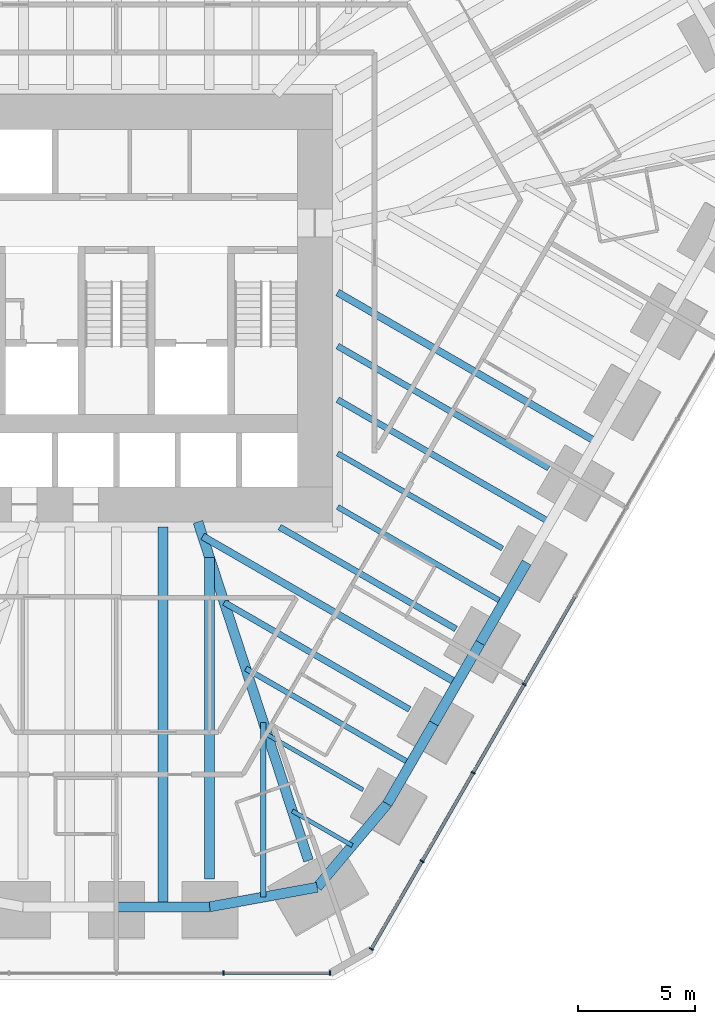
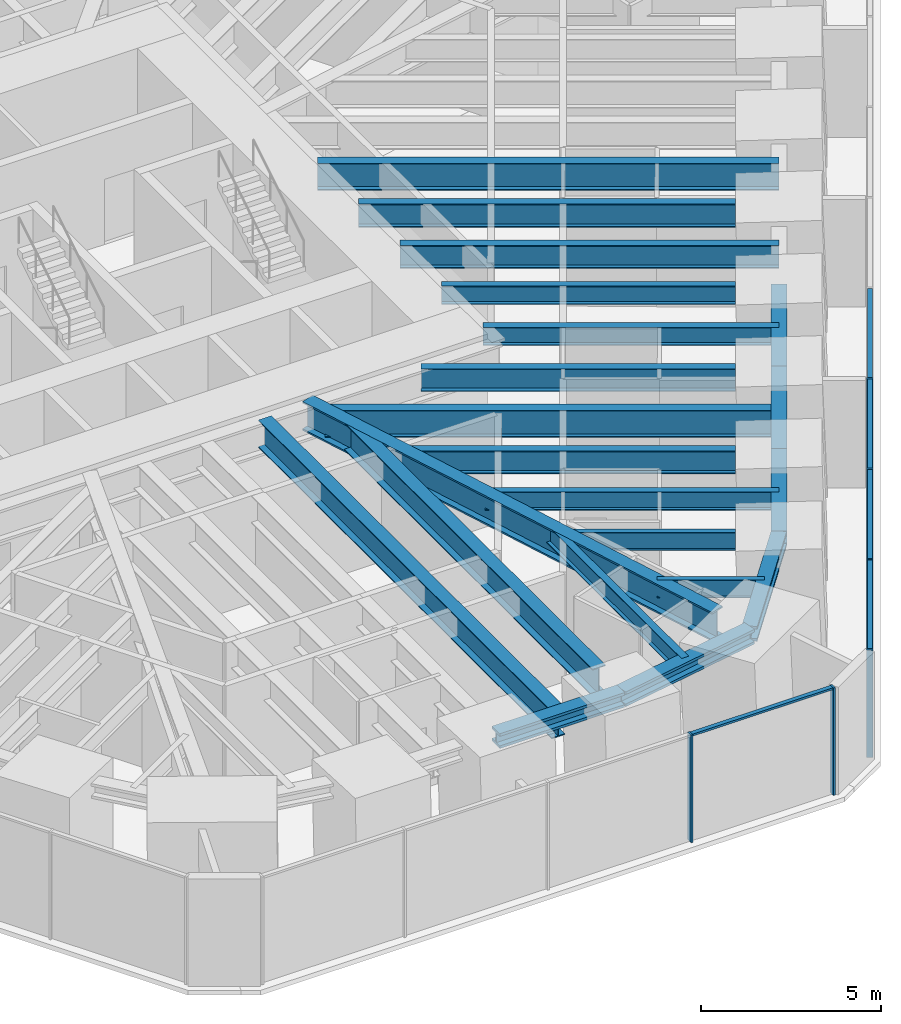
# One storey, part 5 of 17: 21 beams, 11 members, 2 elements without a shape of their own.
"""IFC4 building model written with IfcOpenShell, lengths in metres."""

from ifc_helpers import new_model, si_unit, direction, frame, origin, origin_2d, place, context, subcontext, project, spatial, rectangle, i_section, extrude, material, material_profile, profile_set, type_object, element, aggregate, save


model = new_model("IFC4")

# Units and contexts
model_context = context("Model", 3, precision=1e-05, world=origin(), true_north=direction((0.0, 1.0)))
body_context = subcontext(model_context, "Body", "Model", "MODEL_VIEW")
ifc_project = project(units=[si_unit("LENGTHUNIT", "METRE"), si_unit("AREAUNIT", "SQUARE_METRE"), si_unit("VOLUMEUNIT", "CUBIC_METRE"), si_unit("PLANEANGLEUNIT", "RADIAN"), si_unit("MASSUNIT", "GRAM", prefix="KILO")], contexts=[model_context])

# Site, building, storey
site_placement = place(None, origin())
site = spatial("IfcSite", under=ifc_project, at=site_placement, CompositionType="ELEMENT")
building_placement = place(site_placement, origin())
building = spatial("IfcBuilding", under=site, at=building_placement, Name="Sandreach Pilgrim Tower", CompositionType="ELEMENT")
storey_placement = place(building_placement, frame((0.0, 0.0, 87.60009765625)))
storey = spatial("IfcBuildingStorey", under=building, at=storey_placement, Name="L21", CompositionType="ELEMENT", Elevation=87.60009765625)

# Beams
ifc_material_1 = material(Name="Steel ASTM A913 Grade 65", Category="steel")
ifc_material_profile_1 = material_profile(ifc_material_1, i_section(OverallWidth=0.431884765625, OverallDepth=0.497802734375, WebThickness=0.0556640625, FlangeThickness=0.0888671875, at=origin_2d()), Name="W14X500")
ifc_profile_set_1 = profile_set([ifc_material_profile_1], Name="Steel ASTM A913 Grade 65")
beam_type_1 = type_object("IfcBeamType", Name="Belt truss chord W14X500", PredefinedType="BEAM", material=ifc_profile_set_1)
beam_1_placement = place(storey_placement, frame((17.566650390625, -12.43798828125, 3.390869140625), z_axis=(-0.500014721933, -0.866016903906, 0.0), x_axis=(0.866016903906, -0.500014721933, 0.0)))
element("IfcBeam", 1, at=beam_1_placement, inside=storey, type_object=beam_type_1, Name="BM L21 BTB18", PredefinedType="BEAM", context=body_context, shape_type="SweptSolid", body=[
    extrude(i_section(OverallWidth=0.431884765625, OverallDepth=0.497802734375, WebThickness=0.0556640625, FlangeThickness=0.0888671875, at=origin_2d()), origin(), (0.0, 0.0, 1.0), 3.97705078125),
])
beam_2_placement = place(storey_placement, frame((15.578125, -15.882080078125, 3.390869140625), z_axis=(-0.499968678846, -0.866043486306, 0.0), x_axis=(0.866043486306, -0.499968678846, 0.0)))
element("IfcBeam", 2, at=beam_2_placement, inside=storey, type_object=beam_type_1, Name="BM L21 BTB19", PredefinedType="BEAM", context=body_context, shape_type="SweptSolid", body=[
    extrude(i_section(OverallWidth=0.431884765625, OverallDepth=0.497802734375, WebThickness=0.0556640625, FlangeThickness=0.0888671875, at=origin_2d()), origin(), (0.0, 0.0, 1.0), 3.976806640625),
])
beam_3_placement = place(storey_placement, frame((13.58984375, -19.326171875, 3.390869140625), z_axis=(-0.499995262016, -0.866028139243, 0.0), x_axis=(0.866028139243, -0.499995262016, 0.0)))
element("IfcBeam", 3, at=beam_3_placement, inside=storey, type_object=beam_type_1, Name="BM L21 BTB20", PredefinedType="BEAM", context=body_context, shape_type="SweptSolid", body=[
    extrude(i_section(OverallWidth=0.431884765625, OverallDepth=0.497802734375, WebThickness=0.0556640625, FlangeThickness=0.0888671875, at=origin_2d()), origin(), (0.0, 0.0, 1.0), 3.9765625),
])
beam_4_placement = place(storey_placement, frame((11.6015625, -22.77001953125, 3.390869140625), z_axis=(-0.64376503388, -0.765223223088, 0.0), x_axis=(0.765223223088, -0.64376503388, 0.0)))
element("IfcBeam", 4, at=beam_4_placement, inside=storey, type_object=beam_type_1, Name="BM L21 BTB21", PredefinedType="BEAM", context=body_context, shape_type="SweptSolid", body=[
    extrude(i_section(OverallWidth=0.431884765625, OverallDepth=0.497802734375, WebThickness=0.0556640625, FlangeThickness=0.0888671875, at=origin_2d()), origin(), (0.0, 0.0, 1.0), 4.665283203125),
])
beam_5_placement = place(storey_placement, frame((8.59814453125, -26.340087890625, 3.390869140625), z_axis=(-0.983773831368, -0.179413067296, 0.0), x_axis=(0.179413067296, -0.983773831368, 0.0)))
element("IfcBeam", 5, at=beam_5_placement, inside=storey, type_object=beam_type_1, Name="BM L21 BTB22", PredefinedType="BEAM", context=body_context, shape_type="SweptSolid", body=[
    extrude(i_section(OverallWidth=0.431884765625, OverallDepth=0.497802734375, WebThickness=0.0556640625, FlangeThickness=0.0888671875, at=origin_2d()), origin(), (0.0, 0.0, 1.0), 4.682373046875),
])
beam_6_placement = place(storey_placement, frame((3.99169921875, -27.18017578125, 3.390869140625), z_axis=(-1.0, 0.0, 0.0), x_axis=(0.0, -1.0, 0.0)))
element("IfcBeam", 6, at=beam_6_placement, inside=storey, type_object=beam_type_1, Name="BM L21 BTB23", PredefinedType="BEAM", context=body_context, shape_type="SweptSolid", body=[
    extrude(i_section(OverallWidth=0.431884765625, OverallDepth=0.497802734375, WebThickness=0.0556640625, FlangeThickness=0.0888671875, at=origin_2d()), origin(), (0.0, 0.0, 1.0), 3.99169921875),
])

# Curtain wall, members
ifc_material_2 = material(Name="Aluminium framed curtain wall", Category="aluminium")
curtain_wall_type = type_object("IfcCurtainWallType", Name="Hostel tower curtain wall", PredefinedType="NOTDEFINED", material=ifc_material_2)
curtain_wall_1_placement = place(storey_placement, origin())
curtain_wall_1 = element("IfcCurtainWall", 7, at=curtain_wall_1_placement, inside=storey, type_object=curtain_wall_type, Name="CW-1 L21 SE", PredefinedType="NOTDEFINED")
ifc_material_3 = material(Name="Aluminium extrusion", Category="aluminium")
ifc_material_profile_2 = material_profile(ifc_material_3, rectangle(XDim=0.06494140625, YDim=0.179931640625, at=origin_2d()), Name="CW-1M 65X180")
ifc_profile_set_2 = profile_set([ifc_material_profile_2], Name="Aluminium extrusion")
member_type_1 = type_object("IfcMemberType", Name="CW-1 mullion", PredefinedType="MULLION", material=ifc_profile_set_2)
member_1_placement = place(storey_placement, frame((17.46142578125, -17.6533203125, 0.0), z_axis=(0.0, 0.0, 1.0), x_axis=(-0.5, -0.866025403784, 0.0)))
member_1 = element("IfcMember", 8, at=member_1_placement, type_object=member_type_1, Name="CW-1 mullion 7", PredefinedType="MULLION", context=body_context, shape_type="SweptSolid", body=[
    extrude(rectangle(XDim=0.06494140625, YDim=0.179931640625, at=origin_2d()), origin(), (0.0, 0.0, 1.0), 3.639892578125),
])
member_2_placement = place(storey_placement, frame((15.275634765625, -21.439208984375, 0.0), z_axis=(0.0, 0.0, 1.0), x_axis=(-0.5, -0.866025403784, 0.0)))
member_2 = element("IfcMember", 9, at=member_2_placement, type_object=member_type_1, Name="CW-1 mullion 8", PredefinedType="MULLION", context=body_context, shape_type="SweptSolid", body=[
    extrude(rectangle(XDim=0.06494140625, YDim=0.179931640625, at=origin_2d()), origin(), (0.0, 0.0, 1.0), 3.639892578125),
])
member_3_placement = place(storey_placement, frame((13.08984375, -25.22509765625, 0.0), z_axis=(0.0, 0.0, 1.0), x_axis=(-0.5, -0.866025403784, 0.0)))
member_3 = element("IfcMember", 10, at=member_3_placement, type_object=member_type_1, Name="CW-1 mullion 9", PredefinedType="MULLION", context=body_context, shape_type="SweptSolid", body=[
    extrude(rectangle(XDim=0.06494140625, YDim=0.179931640625, at=origin_2d()), origin(), (0.0, 0.0, 1.0), 3.639892578125),
])
member_4_placement = place(storey_placement, frame((10.92041015625, -28.982666015625, 0.0), z_axis=(0.0, 0.0, 1.0), x_axis=(-0.5, -0.866025403784, 0.0)))
member_4 = element("IfcMember", 11, at=member_4_placement, type_object=member_type_1, Name="CW-1 mullion 10", PredefinedType="MULLION", context=body_context, shape_type="SweptSolid", body=[
    extrude(rectangle(XDim=0.06494140625, YDim=0.179931640625, at=origin_2d()), origin(), (0.0, 0.0, 1.0), 3.639892578125),
])

curtain_wall_2_placement = place(storey_placement, origin())
curtain_wall_2 = element("IfcCurtainWall", 12, at=curtain_wall_2_placement, inside=storey, type_object=curtain_wall_type, Name="CW-1 L21 S", PredefinedType="NOTDEFINED")
member_5_placement = place(storey_placement, frame((9.1396484375, -30.010986328125, 0.0), z_axis=(0.0, 0.0, 1.0), x_axis=(-1.0, 0.0, 0.0)))
member_5 = element("IfcMember", 13, at=member_5_placement, type_object=member_type_1, Name="CW-1 mullion 1", PredefinedType="MULLION", context=body_context, shape_type="SweptSolid", body=[
    extrude(rectangle(XDim=0.06494140625, YDim=0.179931640625, at=origin_2d()), origin(), (0.0, 0.0, 1.0), 3.639892578125),
])
member_6_placement = place(storey_placement, frame((4.5859375, -30.010986328125, 0.0), z_axis=(0.0, 0.0, 1.0), x_axis=(-1.0, 0.0, 0.0)))
member_6 = element("IfcMember", 14, at=member_6_placement, type_object=member_type_1, Name="CW-1 mullion 2", PredefinedType="MULLION", context=body_context, shape_type="SweptSolid", body=[
    extrude(rectangle(XDim=0.06494140625, YDim=0.179931640625, at=origin_2d()), origin(), (0.0, 0.0, 1.0), 3.639892578125),
])

# Member
ifc_material_4 = material(Name="Aluminium extrusion", Category="aluminium")
ifc_material_profile_3 = material_profile(ifc_material_4, rectangle(XDim=0.139892578125, YDim=0.070068359375, at=origin_2d()), Name="CW-1T 140X70")
ifc_profile_set_3 = profile_set([ifc_material_profile_3], Name="Aluminium extrusion")
member_type_2 = type_object("IfcMemberType", Name="CW-1 transom", PredefinedType="USERDEFINED", material=ifc_profile_set_3)
member_7_placement = place(storey_placement, frame((19.631103515625, -13.8955078125, 3.60498046875), z_axis=(-0.500016891966, -0.866015650984, 0.0), x_axis=(0.866015650984, -0.500016891966, 0.0)))
member_7 = element("IfcMember", 15, at=member_7_placement, type_object=member_type_2, Name="CW-1 head transom 6", ObjectType="TRANSOM", PredefinedType="USERDEFINED", context=body_context, shape_type="SweptSolid", body=[
    extrude(rectangle(XDim=0.139892578125, YDim=0.070068359375, at=origin_2d()), origin(), (0.0, 0.0, 1.0), 4.306396484375),
])

member_8_placement = place(storey_placement, frame((17.4453125, -17.681396484375, 3.60498046875), z_axis=(-0.500016891966, -0.866015650984, 0.0), x_axis=(0.866015650984, -0.500016891966, 0.0)))
member_8 = element("IfcMember", 16, at=member_8_placement, type_object=member_type_2, Name="CW-1 head transom 7", ObjectType="TRANSOM", PredefinedType="USERDEFINED", context=body_context, shape_type="SweptSolid", body=[
    extrude(rectangle(XDim=0.139892578125, YDim=0.070068359375, at=origin_2d()), origin(), (0.0, 0.0, 1.0), 4.306396484375),
])

member_9_placement = place(storey_placement, frame((15.259521484375, -21.46728515625, 3.60498046875), z_axis=(-0.500016891966, -0.866015650984, 0.0), x_axis=(0.866015650984, -0.500016891966, 0.0)))
member_9 = element("IfcMember", 17, at=member_9_placement, type_object=member_type_2, Name="CW-1 head transom 8", ObjectType="TRANSOM", PredefinedType="USERDEFINED", context=body_context, shape_type="SweptSolid", body=[
    extrude(rectangle(XDim=0.139892578125, YDim=0.070068359375, at=origin_2d()), origin(), (0.0, 0.0, 1.0), 4.306396484375),
])

member_10_placement = place(storey_placement, frame((13.07373046875, -25.253173828125, 3.60498046875), z_axis=(-0.500033953635, -0.866005799756, 0.0), x_axis=(0.866005799756, -0.500033953635, 0.0)))
member_10 = element("IfcMember", 18, at=member_10_placement, type_object=member_type_2, Name="CW-1 head transom 9", ObjectType="TRANSOM", PredefinedType="USERDEFINED", context=body_context, shape_type="SweptSolid", body=[
    extrude(rectangle(XDim=0.139892578125, YDim=0.070068359375, at=origin_2d()), origin(), (0.0, 0.0, 1.0), 4.274169921875),
])

aggregate(curtain_wall_1, [member_1, member_2, member_3, member_4, member_7, member_8, member_9, member_10])

member_11_placement = place(storey_placement, frame((9.107177734375, -30.010986328125, 3.60498046875), z_axis=(-1.0, 0.0, 0.0), x_axis=(0.0, -1.0, 0.0)))
member_11 = element("IfcMember", 19, at=member_11_placement, type_object=member_type_2, Name="CW-1 head transom 1", ObjectType="TRANSOM", PredefinedType="USERDEFINED", context=body_context, shape_type="SweptSolid", body=[
    extrude(rectangle(XDim=0.139892578125, YDim=0.070068359375, at=origin_2d()), origin(), (0.0, 0.0, 1.0), 4.488525390625),
])

aggregate(curtain_wall_2, [member_5, member_6, member_11])

# Beams
ifc_material_5 = material(Name="Steel ASTM A992 Grade 50", Category="steel")
ifc_material_profile_4 = material_profile(ifc_material_5, i_section(OverallWidth=0.4267578125, OverallDepth=0.975341796875, WebThickness=0.031005859375, FlangeThickness=0.055908203125, at=origin_2d()), Name="W36X395")
ifc_profile_set_4 = profile_set([ifc_material_profile_4], Name="Steel ASTM A992 Grade 50")
beam_type_2 = type_object("IfcBeamType", Name="Corner girder W36X395", PredefinedType="BEAM", material=ifc_profile_set_4)
beam_7_placement = place(storey_placement, frame((8.225830078125, -25.199462890625, 3.15234375), z_axis=(-0.310320012545, 0.950632152735, 0.0), x_axis=(-0.950632152735, -0.310320012545, 0.0)))
element("IfcBeam", 20, at=beam_7_placement, inside=storey, type_object=beam_type_2, Name="BM L21 CG22", PredefinedType="BEAM", context=body_context, shape_type="SweptSolid", body=[
    extrude(i_section(OverallWidth=0.4267578125, OverallDepth=0.975341796875, WebThickness=0.031005859375, FlangeThickness=0.055908203125, at=origin_2d()), origin(), (0.0, 0.0, 1.0), 15.25244140625),
])
ifc_material_6 = material(Name="Steel ASTM A992 Grade 50", Category="steel")
ifc_material_profile_5 = material_profile(ifc_material_6, i_section(OverallWidth=0.1787109375, OverallDepth=0.60205078125, WebThickness=0.010986328125, FlangeThickness=0.014892578125, at=origin_2d()), Name="W24X62")
ifc_profile_set_5 = profile_set([ifc_material_profile_5], Name="Steel ASTM A992 Grade 50")
beam_type_3 = type_object("IfcBeamType", Name="Floor beam W24X62", PredefinedType="BEAM", material=ifc_profile_set_5)
beam_8_placement = place(storey_placement, frame((10.562255859375, -22.169921875, 3.3388671875), z_axis=(-0.866030920585, 0.499990444499, 0.0), x_axis=(-0.499990444499, -0.866030920585, 0.0)))
element("IfcBeam", 21, at=beam_8_placement, inside=storey, type_object=beam_type_3, Name="BM L21 F21", PredefinedType="BEAM", context=body_context, shape_type="SweptSolid", body=[
    extrude(i_section(OverallWidth=0.1787109375, OverallDepth=0.60205078125, WebThickness=0.010986328125, FlangeThickness=0.014892578125, at=origin_2d()), origin(), (0.0, 0.0, 1.0), 4.7314453125),
])
beam_9_placement = place(storey_placement, frame((10.099853515625, -24.55517578125, 3.3388671875), z_axis=(-0.866015594979, 0.500016988964, 0.0), x_axis=(-0.500016988964, -0.866015594979, 0.0)))
element("IfcBeam", 22, at=beam_9_placement, inside=storey, type_object=beam_type_3, Name="BM L21 FM21", PredefinedType="BEAM", context=body_context, shape_type="SweptSolid", body=[
    extrude(i_section(OverallWidth=0.1787109375, OverallDepth=0.60205078125, WebThickness=0.010986328125, FlangeThickness=0.014892578125, at=origin_2d()), origin(), (0.0, 0.0, 1.0), 2.9658203125),
])
ifc_material_7 = material(Name="Steel ASTM A992 Grade 50", Category="steel")
ifc_material_profile_6 = material_profile(ifc_material_7, i_section(OverallWidth=0.23046875, OverallDepth=0.6171875, WebThickness=0.01318359375, FlangeThickness=0.022216796875, at=origin_2d()), Name="W24X94")
ifc_profile_set_6 = profile_set([ifc_material_profile_6], Name="Steel ASTM A992 Grade 50")
beam_type_4 = type_object("IfcBeamType", Name="Floor beam W24X94", PredefinedType="BEAM", material=ifc_profile_set_6)
beam_10_placement = place(storey_placement, frame((16.52734375, -11.838134765625, 3.331298828125), z_axis=(-0.866015905831, 0.500016450577, 0.0), x_axis=(-0.500016450577, -0.866015905831, 0.0)))
element("IfcBeam", 23, at=beam_10_placement, inside=storey, type_object=beam_type_4, Name="BM L21 F18", PredefinedType="BEAM", context=body_context, shape_type="SweptSolid", body=[
    extrude(i_section(OverallWidth=0.23046875, OverallDepth=0.6171875, WebThickness=0.01318359375, FlangeThickness=0.022216796875, at=origin_2d()), origin(), (0.0, 0.0, 1.0), 8.146728515625),
])
beam_11_placement = place(storey_placement, frame((16.572509765625, -14.16015625, 3.331298828125), z_axis=(-0.866026407964, 0.499998260706, 0.0), x_axis=(-0.499998260706, -0.866026407964, 0.0)))
element("IfcBeam", 24, at=beam_11_placement, inside=storey, type_object=beam_type_4, Name="BM L21 FM18", PredefinedType="BEAM", context=body_context, shape_type="SweptSolid", body=[
    extrude(i_section(OverallWidth=0.23046875, OverallDepth=0.6171875, WebThickness=0.01318359375, FlangeThickness=0.022216796875, at=origin_2d()), origin(), (0.0, 0.0, 1.0), 8.19873046875),
])
beam_12_placement = place(storey_placement, frame((12.595703125, -21.048095703125, 3.331298828125), z_axis=(-0.866026875161, 0.499997451492, 0.0), x_axis=(-0.499997451492, -0.866026875161, 0.0)))
element("IfcBeam", 25, at=beam_12_placement, inside=storey, type_object=beam_type_4, Name="BM L21 FM20", PredefinedType="BEAM", context=body_context, shape_type="SweptSolid", body=[
    extrude(i_section(OverallWidth=0.23046875, OverallDepth=0.6171875, WebThickness=0.01318359375, FlangeThickness=0.022216796875, at=origin_2d()), origin(), (0.0, 0.0, 1.0), 8.14599609375),
])
beam_13_placement = place(storey_placement, frame((6.294921875, -26.76025390625, 3.331298828125), z_axis=(0.0, 1.0, 0.0), x_axis=(-1.0, 0.0, 0.0)))
element("IfcBeam", 26, at=beam_13_placement, inside=storey, type_object=beam_type_4, Name="BM L21 FM22", PredefinedType="BEAM", context=body_context, shape_type="SweptSolid", body=[
    extrude(i_section(OverallWidth=0.23046875, OverallDepth=0.6171875, WebThickness=0.01318359375, FlangeThickness=0.022216796875, at=origin_2d()), origin(), (0.0, 0.0, 1.0), 7.47607421875),
])
ifc_material_8 = material(Name="Steel ASTM A992 Grade 50", Category="steel")
ifc_material_profile_7 = material_profile(ifc_material_8, i_section(OverallWidth=0.2666015625, OverallDepth=0.761962890625, WebThickness=0.014404296875, FlangeThickness=0.021484375, at=origin_2d()), Name="W30X116")
ifc_profile_set_7 = profile_set([ifc_material_profile_7], Name="Steel ASTM A992 Grade 50")
beam_type_5 = type_object("IfcBeamType", Name="Floor beam W30X116", PredefinedType="BEAM", material=ifc_profile_set_7)
beam_14_placement = place(storey_placement, frame((14.5390625, -15.281982421875, 3.2587890625), z_axis=(-0.866032659912, 0.499987431809, 0.0), x_axis=(-0.499987431809, -0.866032659912, 0.0)))
element("IfcBeam", 27, at=beam_14_placement, inside=storey, type_object=beam_type_5, Name="BM L21 F19", PredefinedType="BEAM", context=body_context, shape_type="SweptSolid", body=[
    extrude(i_section(OverallWidth=0.2666015625, OverallDepth=0.761962890625, WebThickness=0.014404296875, FlangeThickness=0.021484375, at=origin_2d()), origin(), (0.0, 0.0, 1.0), 8.719970703125),
])
beam_15_placement = place(storey_placement, frame((12.550537109375, -18.72607421875, 3.2587890625), z_axis=(-0.866023583738, 0.5000031524, 0.0), x_axis=(-0.5000031524, -0.866023583738, 0.0)))
element("IfcBeam", 28, at=beam_15_placement, inside=storey, type_object=beam_type_5, Name="BM L21 F20", PredefinedType="BEAM", context=body_context, shape_type="SweptSolid", body=[
    extrude(i_section(OverallWidth=0.2666015625, OverallDepth=0.761962890625, WebThickness=0.014404296875, FlangeThickness=0.021484375, at=origin_2d()), origin(), (0.0, 0.0, 1.0), 9.16015625),
])
ifc_material_9 = material(Name="Steel ASTM A992 Grade 50", Category="steel")
ifc_material_profile_8 = material_profile(ifc_material_9, i_section(OverallWidth=0.2666015625, OverallDepth=0.77978515625, WebThickness=0.0166015625, FlangeThickness=0.030029296875, at=origin_2d()), Name="W30X148")
ifc_profile_set_8 = profile_set([ifc_material_profile_8], Name="Steel ASTM A992 Grade 50")
beam_type_6 = type_object("IfcBeamType", Name="Floor beam W30X148", PredefinedType="BEAM", material=ifc_profile_set_8)
beam_16_placement = place(storey_placement, frame((18.515869140625, -8.39404296875, 3.25), z_axis=(-0.866023237599, 0.500003751924, 0.0), x_axis=(-0.500003751924, -0.866023237599, 0.0)))
element("IfcBeam", 29, at=beam_16_placement, inside=storey, type_object=beam_type_6, Name="BM L21 F17", PredefinedType="BEAM", context=body_context, shape_type="SweptSolid", body=[
    extrude(i_section(OverallWidth=0.2666015625, OverallDepth=0.77978515625, WebThickness=0.0166015625, FlangeThickness=0.030029296875, at=origin_2d()), origin(), (0.0, 0.0, 1.0), 10.44287109375),
])
beam_17_placement = place(storey_placement, frame((18.560791015625, -10.716064453125, 3.25), z_axis=(-0.86602558985, 0.499999677725, 0.0), x_axis=(-0.499999677725, -0.86602558985, 0.0)))
element("IfcBeam", 30, at=beam_17_placement, inside=storey, type_object=beam_type_6, Name="BM L21 FM17", PredefinedType="BEAM", context=body_context, shape_type="SweptSolid", body=[
    extrude(i_section(OverallWidth=0.2666015625, OverallDepth=0.77978515625, WebThickness=0.0166015625, FlangeThickness=0.030029296875, at=origin_2d()), origin(), (0.0, 0.0, 1.0), 10.49462890625),
])
ifc_material_10 = material(Name="Steel ASTM A992 Grade 50", Category="steel")
ifc_material_profile_9 = material_profile(ifc_material_10, i_section(OverallWidth=0.3046875, OverallDepth=0.914306640625, WebThickness=0.0166015625, FlangeThickness=0.02587890625, at=origin_2d()), Name="W36X160")
ifc_profile_set_9 = profile_set([ifc_material_profile_9], Name="Steel ASTM A992 Grade 50")
beam_type_7 = type_object("IfcBeamType", Name="Floor beam W36X160", PredefinedType="BEAM", material=ifc_profile_set_9)
beam_18_placement = place(storey_placement, frame((20.54931640625, -7.272216796875, 3.1826171875), z_axis=(-0.866021572231, 0.500006636387, 0.0), x_axis=(-0.500006636387, -0.866021572231, 0.0)))
element("IfcBeam", 31, at=beam_18_placement, inside=storey, type_object=beam_type_7, Name="BM L21 FM16", PredefinedType="BEAM", context=body_context, shape_type="SweptSolid", body=[
    extrude(i_section(OverallWidth=0.3046875, OverallDepth=0.914306640625, WebThickness=0.0166015625, FlangeThickness=0.02587890625, at=origin_2d()), origin(), (0.0, 0.0, 1.0), 12.790771484375),
])
beam_19_placement = place(storey_placement, frame((14.583984375, -17.60400390625, 3.1826171875), z_axis=(-0.866022955265, 0.500004240936, 0.0), x_axis=(-0.500004240936, -0.866022955265, 0.0)))
element("IfcBeam", 32, at=beam_19_placement, inside=storey, type_object=beam_type_7, Name="BM L21 FM19", PredefinedType="BEAM", context=body_context, shape_type="SweptSolid", body=[
    extrude(i_section(OverallWidth=0.3046875, OverallDepth=0.914306640625, WebThickness=0.0166015625, FlangeThickness=0.02587890625, at=origin_2d()), origin(), (0.0, 0.0, 1.0), 12.57470703125),
])
ifc_material_11 = material(Name="Steel ASTM A992 Grade 50", Category="steel")
ifc_material_profile_10 = material_profile(ifc_material_11, i_section(OverallWidth=0.419189453125, OverallDepth=0.927001953125, WebThickness=0.019287109375, FlangeThickness=0.031982421875, at=origin_2d()), Name="W36X231")
ifc_profile_set_10 = profile_set([ifc_material_profile_10], Name="Steel ASTM A992 Grade 50")
beam_type_8 = type_object("IfcBeamType", Name="Floor beam W36X231", PredefinedType="BEAM", material=ifc_profile_set_10)
beam_20_placement = place(storey_placement, frame((3.99169921875, -25.980224609375, 3.17626953125), z_axis=(0.0, 1.0, 0.0), x_axis=(-1.0, 0.0, 0.0)))
element("IfcBeam", 33, at=beam_20_placement, inside=storey, type_object=beam_type_8, Name="BM L21 F23", PredefinedType="BEAM", context=body_context, shape_type="SweptSolid", body=[
    extrude(i_section(OverallWidth=0.419189453125, OverallDepth=0.927001953125, WebThickness=0.019287109375, FlangeThickness=0.031982421875, at=origin_2d()), origin(), (0.0, 0.0, 1.0), 13.751953125),
])
beam_21_placement = place(storey_placement, frame((1.995849609375, -27.18017578125, 3.17626953125), z_axis=(0.0, 1.0, 0.0), x_axis=(-1.0, 0.0, 0.0)))
element("IfcBeam", 34, at=beam_21_placement, inside=storey, type_object=beam_type_8, Name="BM L21 FM23", PredefinedType="BEAM", context=body_context, shape_type="SweptSolid", body=[
    extrude(i_section(OverallWidth=0.419189453125, OverallDepth=0.927001953125, WebThickness=0.019287109375, FlangeThickness=0.031982421875, at=origin_2d()), origin(), (0.0, 0.0, 1.0), 16.258056640625),
])

save(model, "model.ifc")
